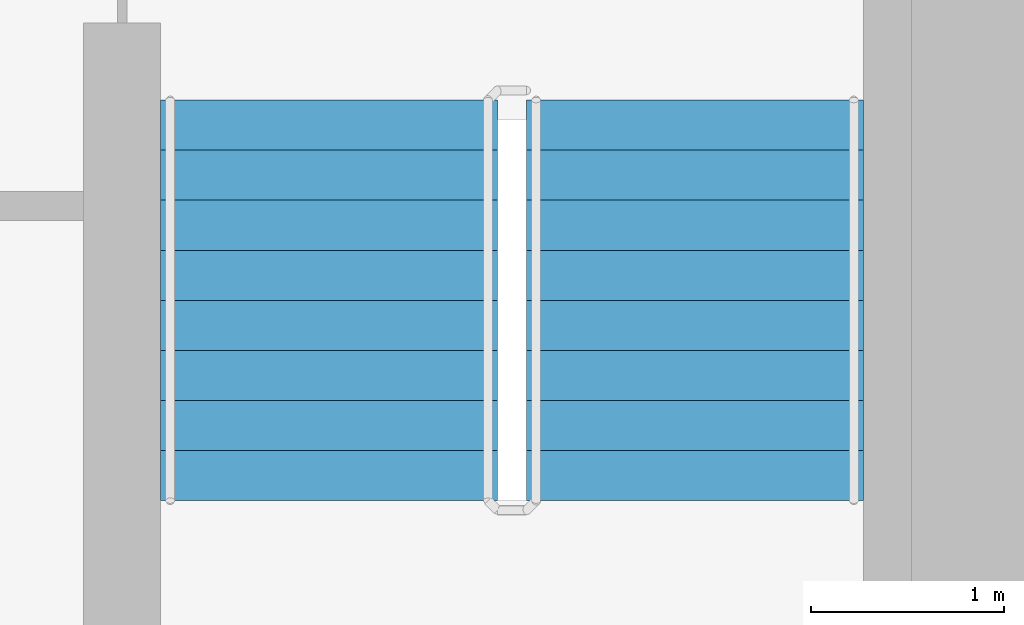
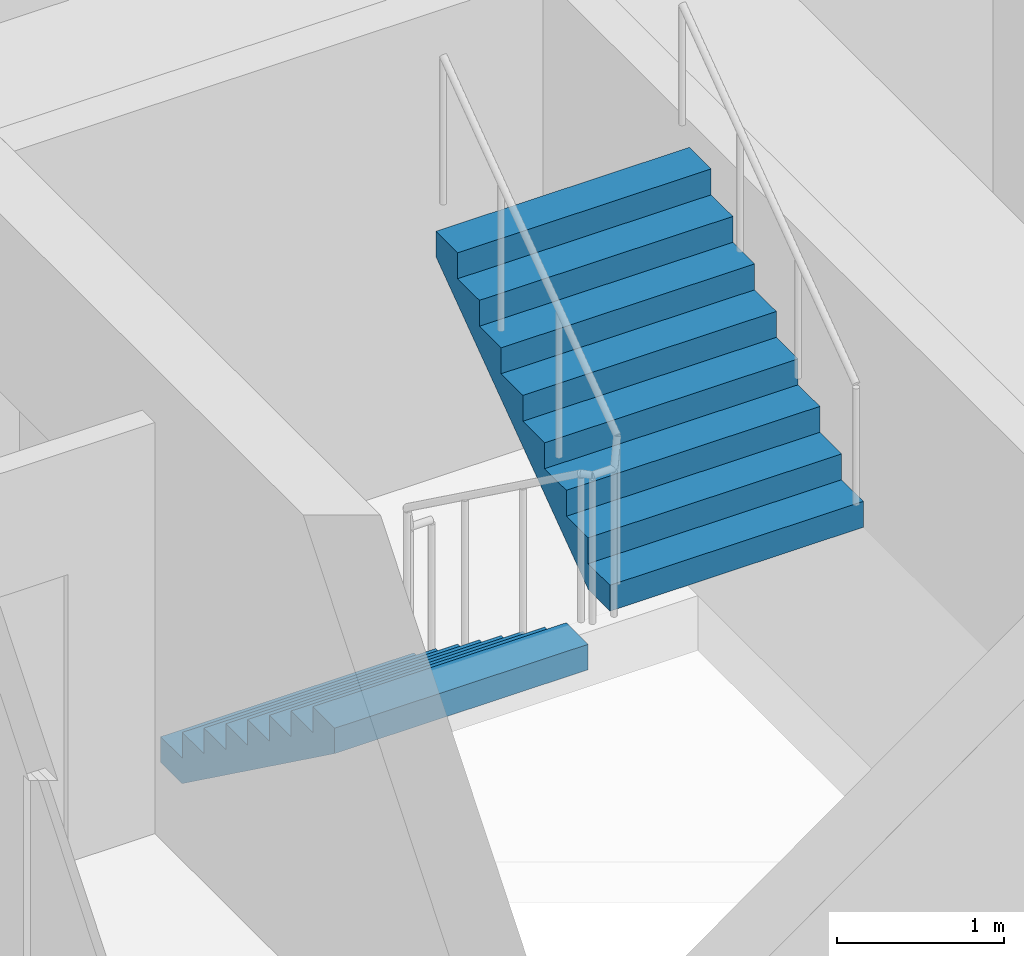
# One storey, part 18 of 21: 2 stair flights, 1 element without a shape of its own.
"""IFC4 building model written with IfcOpenShell, lengths in metres."""

from ifc_helpers import new_model, si_unit, direction, frame, origin, place, context, subcontext, project, spatial, faceted_brep, material, type_object, element, aggregate, save


model = new_model("IFC4")

# Units and contexts
model_context = context("Model", 3, precision=1e-05, world=origin(), true_north=direction((0.0, 1.0)))
body_context = subcontext(model_context, "Body", "Model", "MODEL_VIEW")
ifc_project = project(units=[si_unit("LENGTHUNIT", "METRE"), si_unit("AREAUNIT", "SQUARE_METRE"), si_unit("VOLUMEUNIT", "CUBIC_METRE"), si_unit("PLANEANGLEUNIT", "RADIAN"), si_unit("MASSUNIT", "GRAM", prefix="KILO")], contexts=[model_context])

# Site, building, storey
site_placement = place(None, origin())
site = spatial("IfcSite", under=ifc_project, at=site_placement, CompositionType="ELEMENT")
building_placement = place(site_placement, origin())
building = spatial("IfcBuilding", under=site, at=building_placement, Name="Ipe Terrace Towers", CompositionType="ELEMENT")
storey_placement = place(building_placement, frame((0.0, 0.0, 83.39990234375)))
storey = spatial("IfcBuildingStorey", under=building, at=storey_placement, Name="L22", CompositionType="ELEMENT", Elevation=83.39990234375)

# Stair, stair flights
ifc_material_1 = material(Name="Concrete C30/37", Category="concrete")
stair_type = type_object("IfcStairType", Name="Protected exit stair", PredefinedType="HALF_TURN_STAIR", material=ifc_material_1)
stair_placement = place(storey_placement, origin())
stair = element("IfcStair", 1, at=stair_placement, inside=storey, type_object=stair_type, Name="L22 Exit stair T2-C2", PredefinedType="HALF_TURN_STAIR")
ifc_material_2 = material(Name="Concrete C30/37", Category="concrete")
stair_flight_type = type_object("IfcStairFlightType", Name="Exit stair flight 1750", PredefinedType="STRAIGHT", material=ifc_material_2)
stair_flight_1_placement = place(storey_placement, frame((38.77490234375, -9.699951171875, 0.0), z_axis=(0.0, 0.0, 1.0), x_axis=(0.0, -1.0, 0.0)))
stair_flight_1 = element("IfcStairFlight", 2, at=stair_flight_1_placement, type_object=stair_flight_type, Name="T2-ST2 flight 1", NumberOfRisers=9, NumberOfTreads=8, PredefinedType="STRAIGHT", RiserHeight=0.188888889, TreadLength=0.26, context=body_context, shape_type="Brep", body=[
    faceted_brep([(0.255126953125, -0.875, 0.0), (2.080078125, -0.875, 1.325927734375), (2.080078125, -0.875, 1.51123046875), (1.820068359375, -0.875, 1.51123046875), (1.820068359375, -0.875, 1.322265625), (1.56005859375, -0.875, 1.322265625), (1.56005859375, -0.875, 1.13330078125), (1.300048828125, -0.875, 1.13330078125), (1.300048828125, -0.875, 0.9443359375), (1.0400390625, -0.875, 0.9443359375), (1.0400390625, -0.875, 0.755615234375), (0.780029296875, -0.875, 0.755615234375), (0.780029296875, -0.875, 0.566650390625), (0.52001953125, -0.875, 0.566650390625), (0.52001953125, -0.875, 0.377685546875), (0.260009765625, -0.875, 0.377685546875), (0.260009765625, -0.875, 0.18896484375), (0.0, -0.875, 0.18896484375), (0.0, -0.875, 0.0), (0.0, 0.875, 0.0), (0.0, 0.875, 0.18896484375), (0.260009765625, 0.875, 0.18896484375), (0.260009765625, 0.875, 0.377685546875), (0.52001953125, 0.875, 0.377685546875), (0.52001953125, 0.875, 0.566650390625), (0.780029296875, 0.875, 0.566650390625), (0.780029296875, 0.875, 0.755615234375), (1.0400390625, 0.875, 0.755615234375), (1.0400390625, 0.875, 0.9443359375), (1.300048828125, 0.875, 0.9443359375), (1.300048828125, 0.875, 1.13330078125), (1.56005859375, 0.875, 1.13330078125), (1.56005859375, 0.875, 1.322265625), (1.820068359375, 0.875, 1.322265625), (1.820068359375, 0.875, 1.51123046875), (2.080078125, 0.875, 1.51123046875), (2.080078125, 0.875, 1.325927734375), (0.255126953125, 0.875, 0.0), (0.0, -0.300048828125, 0.18896484375), (0.0, -0.1201171875, 0.18896484375), (0.0, -0.06005859375, 0.18896484375), (0.0, -0.030029296875, 0.18896484375), (0.0, -0.010009765625, 0.18896484375), (0.0, 0.0, 0.18896484375), (0.0, 0.010009765625, 0.18896484375), (0.0, 0.030029296875, 0.18896484375), (0.0, 0.06005859375, 0.18896484375), (0.0, 0.1201171875, 0.18896484375), (0.0, 0.300048828125, 0.18896484375), (0.0, 0.300048828125, 0.0), (0.0, 0.1201171875, 0.0), (0.0, 0.06005859375, 0.0), (0.0, 0.030029296875, 0.0), (0.0, 0.010009765625, 0.0), (0.0, 0.0, 0.0), (0.0, -0.010009765625, 0.0), (0.0, -0.030029296875, 0.0), (0.0, -0.06005859375, 0.0), (0.0, -0.1201171875, 0.0), (0.0, -0.300048828125, 0.0), (0.260009765625, -0.300048828125, 0.18896484375), (0.260009765625, -0.1201171875, 0.18896484375), (0.260009765625, -0.06005859375, 0.18896484375), (0.260009765625, -0.030029296875, 0.18896484375), (0.260009765625, -0.010009765625, 0.18896484375), (0.260009765625, 0.0, 0.18896484375), (0.260009765625, 0.010009765625, 0.18896484375), (0.260009765625, 0.030029296875, 0.18896484375), (0.260009765625, 0.06005859375, 0.18896484375), (0.260009765625, 0.1201171875, 0.18896484375), (0.260009765625, 0.300048828125, 0.18896484375), (0.260009765625, -0.300048828125, 0.377685546875), (0.260009765625, -0.1201171875, 0.377685546875), (0.260009765625, -0.06005859375, 0.377685546875), (0.260009765625, -0.030029296875, 0.377685546875), (0.260009765625, -0.010009765625, 0.377685546875), (0.260009765625, 0.0, 0.377685546875), (0.260009765625, 0.010009765625, 0.377685546875), (0.260009765625, 0.030029296875, 0.377685546875), (0.260009765625, 0.06005859375, 0.377685546875), (0.260009765625, 0.1201171875, 0.377685546875), (0.260009765625, 0.300048828125, 0.377685546875), (0.52001953125, -0.300048828125, 0.377685546875), (0.52001953125, -0.1201171875, 0.377685546875), (0.52001953125, -0.06005859375, 0.377685546875), (0.52001953125, -0.030029296875, 0.377685546875), (0.52001953125, -0.010009765625, 0.377685546875), (0.52001953125, 0.0, 0.377685546875), (0.52001953125, 0.010009765625, 0.377685546875), (0.52001953125, 0.030029296875, 0.377685546875), (0.52001953125, 0.06005859375, 0.377685546875), (0.52001953125, 0.1201171875, 0.377685546875), (0.52001953125, 0.300048828125, 0.377685546875), (0.52001953125, -0.300048828125, 0.566650390625), (0.52001953125, -0.1201171875, 0.566650390625), (0.52001953125, -0.06005859375, 0.566650390625), (0.52001953125, -0.030029296875, 0.566650390625), (0.52001953125, -0.010009765625, 0.566650390625), (0.52001953125, 0.0, 0.566650390625), (0.52001953125, 0.010009765625, 0.566650390625), (0.52001953125, 0.030029296875, 0.566650390625), (0.52001953125, 0.06005859375, 0.566650390625), (0.52001953125, 0.1201171875, 0.566650390625), (0.52001953125, 0.300048828125, 0.566650390625), (0.780029296875, -0.300048828125, 0.566650390625), (0.780029296875, -0.1201171875, 0.566650390625), (0.780029296875, -0.06005859375, 0.566650390625), (0.780029296875, -0.030029296875, 0.566650390625), (0.780029296875, -0.010009765625, 0.566650390625), (0.780029296875, 0.0, 0.566650390625), (0.780029296875, 0.010009765625, 0.566650390625), (0.780029296875, 0.030029296875, 0.566650390625), (0.780029296875, 0.06005859375, 0.566650390625), (0.780029296875, 0.1201171875, 0.566650390625), (0.780029296875, 0.300048828125, 0.566650390625), (0.780029296875, -0.300048828125, 0.755615234375), (0.780029296875, -0.1201171875, 0.755615234375), (0.780029296875, -0.06005859375, 0.755615234375), (0.780029296875, -0.030029296875, 0.755615234375), (0.780029296875, -0.010009765625, 0.755615234375), (0.780029296875, 0.0, 0.755615234375), (0.780029296875, 0.010009765625, 0.755615234375), (0.780029296875, 0.030029296875, 0.755615234375), (0.780029296875, 0.06005859375, 0.755615234375), (0.780029296875, 0.1201171875, 0.755615234375), (0.780029296875, 0.300048828125, 0.755615234375), (1.0400390625, -0.300048828125, 0.755615234375), (1.0400390625, -0.1201171875, 0.755615234375), (1.0400390625, -0.06005859375, 0.755615234375), (1.0400390625, -0.030029296875, 0.755615234375), (1.0400390625, -0.010009765625, 0.755615234375), (1.0400390625, 0.0, 0.755615234375), (1.0400390625, 0.010009765625, 0.755615234375), (1.0400390625, 0.030029296875, 0.755615234375), (1.0400390625, 0.06005859375, 0.755615234375), (1.0400390625, 0.1201171875, 0.755615234375), (1.0400390625, 0.300048828125, 0.755615234375), (1.0400390625, -0.300048828125, 0.9443359375), (1.0400390625, -0.1201171875, 0.9443359375), (1.0400390625, -0.06005859375, 0.9443359375), (1.0400390625, -0.030029296875, 0.9443359375), (1.0400390625, -0.010009765625, 0.9443359375), (1.0400390625, 0.0, 0.9443359375), (1.0400390625, 0.010009765625, 0.9443359375), (1.0400390625, 0.030029296875, 0.9443359375), (1.0400390625, 0.06005859375, 0.9443359375), (1.0400390625, 0.1201171875, 0.9443359375), (1.0400390625, 0.300048828125, 0.9443359375), (1.300048828125, -0.300048828125, 0.9443359375), (1.300048828125, -0.1201171875, 0.9443359375), (1.300048828125, -0.06005859375, 0.9443359375), (1.300048828125, -0.030029296875, 0.9443359375), (1.300048828125, -0.010009765625, 0.9443359375), (1.300048828125, 0.0, 0.9443359375), (1.300048828125, 0.010009765625, 0.9443359375), (1.300048828125, 0.030029296875, 0.9443359375), (1.300048828125, 0.06005859375, 0.9443359375), (1.300048828125, 0.1201171875, 0.9443359375), (1.300048828125, 0.300048828125, 0.9443359375), (1.300048828125, -0.300048828125, 1.13330078125), (1.300048828125, -0.1201171875, 1.13330078125), (1.300048828125, -0.06005859375, 1.13330078125), (1.300048828125, -0.030029296875, 1.13330078125), (1.300048828125, -0.010009765625, 1.13330078125), (1.300048828125, 0.0, 1.13330078125), (1.300048828125, 0.010009765625, 1.13330078125), (1.300048828125, 0.030029296875, 1.13330078125), (1.300048828125, 0.06005859375, 1.13330078125), (1.300048828125, 0.1201171875, 1.13330078125), (1.300048828125, 0.300048828125, 1.13330078125), (1.56005859375, -0.300048828125, 1.13330078125), (1.56005859375, -0.1201171875, 1.13330078125), (1.56005859375, -0.06005859375, 1.13330078125), (1.56005859375, -0.030029296875, 1.13330078125), (1.56005859375, -0.010009765625, 1.13330078125), (1.56005859375, 0.0, 1.13330078125), (1.56005859375, 0.010009765625, 1.13330078125), (1.56005859375, 0.030029296875, 1.13330078125), (1.56005859375, 0.06005859375, 1.13330078125), (1.56005859375, 0.1201171875, 1.13330078125), (1.56005859375, 0.300048828125, 1.13330078125), (1.56005859375, -0.300048828125, 1.322265625), (1.56005859375, -0.1201171875, 1.322265625), (1.56005859375, -0.06005859375, 1.322265625), (1.56005859375, -0.030029296875, 1.322265625), (1.56005859375, -0.010009765625, 1.322265625), (1.56005859375, 0.0, 1.322265625), (1.56005859375, 0.010009765625, 1.322265625), (1.56005859375, 0.030029296875, 1.322265625), (1.56005859375, 0.06005859375, 1.322265625), (1.56005859375, 0.1201171875, 1.322265625), (1.56005859375, 0.300048828125, 1.322265625), (1.820068359375, -0.300048828125, 1.322265625), (1.820068359375, -0.1201171875, 1.322265625), (1.820068359375, -0.06005859375, 1.322265625), (1.820068359375, -0.030029296875, 1.322265625), (1.820068359375, -0.010009765625, 1.322265625), (1.820068359375, 0.0, 1.322265625), (1.820068359375, 0.010009765625, 1.322265625), (1.820068359375, 0.030029296875, 1.322265625), (1.820068359375, 0.06005859375, 1.322265625), (1.820068359375, 0.1201171875, 1.322265625), (1.820068359375, 0.300048828125, 1.322265625), (1.820068359375, -0.300048828125, 1.51123046875), (1.820068359375, -0.1201171875, 1.51123046875), (1.820068359375, -0.06005859375, 1.51123046875), (1.820068359375, -0.030029296875, 1.51123046875), (1.820068359375, -0.010009765625, 1.51123046875), (1.820068359375, 0.0, 1.51123046875), (1.820068359375, 0.010009765625, 1.51123046875), (1.820068359375, 0.030029296875, 1.51123046875), (1.820068359375, 0.06005859375, 1.51123046875), (1.820068359375, 0.1201171875, 1.51123046875), (1.820068359375, 0.300048828125, 1.51123046875), (2.080078125, -0.300048828125, 1.51123046875), (2.080078125, -0.1201171875, 1.51123046875), (2.080078125, -0.06005859375, 1.51123046875), (2.080078125, -0.030029296875, 1.51123046875), (2.080078125, -0.010009765625, 1.51123046875), (2.080078125, 0.0, 1.51123046875), (2.080078125, 0.010009765625, 1.51123046875), (2.080078125, 0.030029296875, 1.51123046875), (2.080078125, 0.06005859375, 1.51123046875), (2.080078125, 0.1201171875, 1.51123046875), (2.080078125, 0.300048828125, 1.51123046875), (2.080078125, -0.300048828125, 1.325927734375), (2.080078125, -0.1201171875, 1.325927734375), (2.080078125, -0.06005859375, 1.325927734375), (2.080078125, -0.030029296875, 1.325927734375), (2.080078125, -0.010009765625, 1.325927734375), (2.080078125, 0.0, 1.325927734375), (2.080078125, 0.010009765625, 1.325927734375), (2.080078125, 0.030029296875, 1.325927734375), (2.080078125, 0.06005859375, 1.325927734375), (2.080078125, 0.1201171875, 1.325927734375), (2.080078125, 0.300048828125, 1.325927734375), (0.255126953125, -0.300048828125, 0.0), (0.255126953125, -0.1201171875, 0.0), (0.255126953125, -0.06005859375, 0.0), (0.255126953125, -0.030029296875, 0.0), (0.255126953125, -0.010009765625, 0.0), (0.255126953125, 0.0, 0.0), (0.255126953125, 0.010009765625, 0.0), (0.255126953125, 0.030029296875, 0.0), (0.255126953125, 0.06005859375, 0.0), (0.255126953125, 0.1201171875, 0.0), (0.255126953125, 0.300048828125, 0.0)], [[[0, 1, 2, 3, 4, 5, 6, 7, 8, 9, 10, 11, 12, 13, 14, 15, 16, 17, 18]], [[19, 20, 21, 22, 23, 24, 25, 26, 27, 28, 29, 30, 31, 32, 33, 34, 35, 36, 37]], [[17, 38, 39, 40, 41, 42, 43, 44, 45, 46, 47, 48, 20, 19, 49, 50, 51, 52, 53, 54, 55, 56, 57, 58, 59, 18]], [[16, 60, 61, 62, 63, 64, 65, 66, 67, 68, 69, 70, 21, 20, 48, 47, 46, 45, 44, 43, 42, 41, 40, 39, 38, 17]], [[15, 71, 72, 73, 74, 75, 76, 77, 78, 79, 80, 81, 22, 21, 70, 69, 68, 67, 66, 65, 64, 63, 62, 61, 60, 16]], [[14, 82, 83, 84, 85, 86, 87, 88, 89, 90, 91, 92, 23, 22, 81, 80, 79, 78, 77, 76, 75, 74, 73, 72, 71, 15]], [[13, 93, 94, 95, 96, 97, 98, 99, 100, 101, 102, 103, 24, 23, 92, 91, 90, 89, 88, 87, 86, 85, 84, 83, 82, 14]], [[12, 104, 105, 106, 107, 108, 109, 110, 111, 112, 113, 114, 25, 24, 103, 102, 101, 100, 99, 98, 97, 96, 95, 94, 93, 13]], [[11, 115, 116, 117, 118, 119, 120, 121, 122, 123, 124, 125, 26, 25, 114, 113, 112, 111, 110, 109, 108, 107, 106, 105, 104, 12]], [[10, 126, 127, 128, 129, 130, 131, 132, 133, 134, 135, 136, 27, 26, 125, 124, 123, 122, 121, 120, 119, 118, 117, 116, 115, 11]], [[9, 137, 138, 139, 140, 141, 142, 143, 144, 145, 146, 147, 28, 27, 136, 135, 134, 133, 132, 131, 130, 129, 128, 127, 126, 10]], [[8, 148, 149, 150, 151, 152, 153, 154, 155, 156, 157, 158, 29, 28, 147, 146, 145, 144, 143, 142, 141, 140, 139, 138, 137, 9]], [[7, 159, 160, 161, 162, 163, 164, 165, 166, 167, 168, 169, 30, 29, 158, 157, 156, 155, 154, 153, 152, 151, 150, 149, 148, 8]], [[6, 170, 171, 172, 173, 174, 175, 176, 177, 178, 179, 180, 31, 30, 169, 168, 167, 166, 165, 164, 163, 162, 161, 160, 159, 7]], [[5, 181, 182, 183, 184, 185, 186, 187, 188, 189, 190, 191, 32, 31, 180, 179, 178, 177, 176, 175, 174, 173, 172, 171, 170, 6]], [[4, 192, 193, 194, 195, 196, 197, 198, 199, 200, 201, 202, 33, 32, 191, 190, 189, 188, 187, 186, 185, 184, 183, 182, 181, 5]], [[3, 203, 204, 205, 206, 207, 208, 209, 210, 211, 212, 213, 34, 33, 202, 201, 200, 199, 198, 197, 196, 195, 194, 193, 192, 4]], [[2, 214, 215, 216, 217, 218, 219, 220, 221, 222, 223, 224, 35, 34, 213, 212, 211, 210, 209, 208, 207, 206, 205, 204, 203, 3]], [[1, 225, 226, 227, 228, 229, 230, 231, 232, 233, 234, 235, 36, 35, 224, 223, 222, 221, 220, 219, 218, 217, 216, 215, 214, 2]], [[0, 236, 237, 238, 239, 240, 241, 242, 243, 244, 245, 246, 37, 36, 235, 234, 233, 232, 231, 230, 229, 228, 227, 226, 225, 1]], [[18, 59, 58, 57, 56, 55, 54, 53, 52, 51, 50, 49, 19, 37, 246, 245, 244, 243, 242, 241, 240, 239, 238, 237, 236, 0]]]),
])
stair_flight_2_placement = place(storey_placement, frame((40.675048828125, -11.780029296875, 1.7001953125), z_axis=(0.0, 0.0, 1.0), x_axis=(0.0, 1.0, 0.0)))
stair_flight_2 = element("IfcStairFlight", 3, at=stair_flight_2_placement, type_object=stair_flight_type, Name="T2-ST2 flight 2", NumberOfRisers=9, NumberOfTreads=8, PredefinedType="STRAIGHT", RiserHeight=0.188888889, TreadLength=0.26, context=body_context, shape_type="Brep", body=[
    faceted_brep([(0.255126953125, -0.875, 0.0), (2.080078125, -0.875, 1.325927734375), (2.080078125, -0.875, 1.51123046875), (1.820068359375, -0.875, 1.51123046875), (1.820068359375, -0.875, 1.322265625), (1.56005859375, -0.875, 1.322265625), (1.56005859375, -0.875, 1.13330078125), (1.300048828125, -0.875, 1.13330078125), (1.300048828125, -0.875, 0.9443359375), (1.0400390625, -0.875, 0.9443359375), (1.0400390625, -0.875, 0.755615234375), (0.780029296875, -0.875, 0.755615234375), (0.780029296875, -0.875, 0.566650390625), (0.52001953125, -0.875, 0.566650390625), (0.52001953125, -0.875, 0.377685546875), (0.260009765625, -0.875, 0.377685546875), (0.260009765625, -0.875, 0.18896484375), (0.0, -0.875, 0.18896484375), (0.0, -0.875, 0.0), (0.0, 0.875, 0.0), (0.0, 0.875, 0.18896484375), (0.260009765625, 0.875, 0.18896484375), (0.260009765625, 0.875, 0.377685546875), (0.52001953125, 0.875, 0.377685546875), (0.52001953125, 0.875, 0.566650390625), (0.780029296875, 0.875, 0.566650390625), (0.780029296875, 0.875, 0.755615234375), (1.0400390625, 0.875, 0.755615234375), (1.0400390625, 0.875, 0.9443359375), (1.300048828125, 0.875, 0.9443359375), (1.300048828125, 0.875, 1.13330078125), (1.56005859375, 0.875, 1.13330078125), (1.56005859375, 0.875, 1.322265625), (1.820068359375, 0.875, 1.322265625), (1.820068359375, 0.875, 1.51123046875), (2.080078125, 0.875, 1.51123046875), (2.080078125, 0.875, 1.325927734375), (0.255126953125, 0.875, 0.0), (0.0, -0.300048828125, 0.18896484375), (0.0, -0.1201171875, 0.18896484375), (0.0, -0.06005859375, 0.18896484375), (0.0, -0.030029296875, 0.18896484375), (0.0, -0.010009765625, 0.18896484375), (0.0, 0.0, 0.18896484375), (0.0, 0.010009765625, 0.18896484375), (0.0, 0.030029296875, 0.18896484375), (0.0, 0.06005859375, 0.18896484375), (0.0, 0.1201171875, 0.18896484375), (0.0, 0.300048828125, 0.18896484375), (0.0, 0.300048828125, 0.0), (0.0, 0.1201171875, 0.0), (0.0, 0.06005859375, 0.0), (0.0, 0.030029296875, 0.0), (0.0, 0.010009765625, 0.0), (0.0, 0.0, 0.0), (0.0, -0.010009765625, 0.0), (0.0, -0.030029296875, 0.0), (0.0, -0.06005859375, 0.0), (0.0, -0.1201171875, 0.0), (0.0, -0.300048828125, 0.0), (0.260009765625, -0.300048828125, 0.18896484375), (0.260009765625, -0.1201171875, 0.18896484375), (0.260009765625, -0.06005859375, 0.18896484375), (0.260009765625, -0.030029296875, 0.18896484375), (0.260009765625, -0.010009765625, 0.18896484375), (0.260009765625, 0.0, 0.18896484375), (0.260009765625, 0.010009765625, 0.18896484375), (0.260009765625, 0.030029296875, 0.18896484375), (0.260009765625, 0.06005859375, 0.18896484375), (0.260009765625, 0.1201171875, 0.18896484375), (0.260009765625, 0.300048828125, 0.18896484375), (0.260009765625, -0.300048828125, 0.377685546875), (0.260009765625, -0.1201171875, 0.377685546875), (0.260009765625, -0.06005859375, 0.377685546875), (0.260009765625, -0.030029296875, 0.377685546875), (0.260009765625, -0.010009765625, 0.377685546875), (0.260009765625, 0.0, 0.377685546875), (0.260009765625, 0.010009765625, 0.377685546875), (0.260009765625, 0.030029296875, 0.377685546875), (0.260009765625, 0.06005859375, 0.377685546875), (0.260009765625, 0.1201171875, 0.377685546875), (0.260009765625, 0.300048828125, 0.377685546875), (0.52001953125, -0.300048828125, 0.377685546875), (0.52001953125, -0.1201171875, 0.377685546875), (0.52001953125, -0.06005859375, 0.377685546875), (0.52001953125, -0.030029296875, 0.377685546875), (0.52001953125, -0.010009765625, 0.377685546875), (0.52001953125, 0.0, 0.377685546875), (0.52001953125, 0.010009765625, 0.377685546875), (0.52001953125, 0.030029296875, 0.377685546875), (0.52001953125, 0.06005859375, 0.377685546875), (0.52001953125, 0.1201171875, 0.377685546875), (0.52001953125, 0.300048828125, 0.377685546875), (0.52001953125, -0.300048828125, 0.566650390625), (0.52001953125, -0.1201171875, 0.566650390625), (0.52001953125, -0.06005859375, 0.566650390625), (0.52001953125, -0.030029296875, 0.566650390625), (0.52001953125, -0.010009765625, 0.566650390625), (0.52001953125, 0.0, 0.566650390625), (0.52001953125, 0.010009765625, 0.566650390625), (0.52001953125, 0.030029296875, 0.566650390625), (0.52001953125, 0.06005859375, 0.566650390625), (0.52001953125, 0.1201171875, 0.566650390625), (0.52001953125, 0.300048828125, 0.566650390625), (0.780029296875, -0.300048828125, 0.566650390625), (0.780029296875, -0.1201171875, 0.566650390625), (0.780029296875, -0.06005859375, 0.566650390625), (0.780029296875, -0.030029296875, 0.566650390625), (0.780029296875, -0.010009765625, 0.566650390625), (0.780029296875, 0.0, 0.566650390625), (0.780029296875, 0.010009765625, 0.566650390625), (0.780029296875, 0.030029296875, 0.566650390625), (0.780029296875, 0.06005859375, 0.566650390625), (0.780029296875, 0.1201171875, 0.566650390625), (0.780029296875, 0.300048828125, 0.566650390625), (0.780029296875, -0.300048828125, 0.755615234375), (0.780029296875, -0.1201171875, 0.755615234375), (0.780029296875, -0.06005859375, 0.755615234375), (0.780029296875, -0.030029296875, 0.755615234375), (0.780029296875, -0.010009765625, 0.755615234375), (0.780029296875, 0.0, 0.755615234375), (0.780029296875, 0.010009765625, 0.755615234375), (0.780029296875, 0.030029296875, 0.755615234375), (0.780029296875, 0.06005859375, 0.755615234375), (0.780029296875, 0.1201171875, 0.755615234375), (0.780029296875, 0.300048828125, 0.755615234375), (1.0400390625, -0.300048828125, 0.755615234375), (1.0400390625, -0.1201171875, 0.755615234375), (1.0400390625, -0.06005859375, 0.755615234375), (1.0400390625, -0.030029296875, 0.755615234375), (1.0400390625, -0.010009765625, 0.755615234375), (1.0400390625, 0.0, 0.755615234375), (1.0400390625, 0.010009765625, 0.755615234375), (1.0400390625, 0.030029296875, 0.755615234375), (1.0400390625, 0.06005859375, 0.755615234375), (1.0400390625, 0.1201171875, 0.755615234375), (1.0400390625, 0.300048828125, 0.755615234375), (1.0400390625, -0.300048828125, 0.9443359375), (1.0400390625, -0.1201171875, 0.9443359375), (1.0400390625, -0.06005859375, 0.9443359375), (1.0400390625, -0.030029296875, 0.9443359375), (1.0400390625, -0.010009765625, 0.9443359375), (1.0400390625, 0.0, 0.9443359375), (1.0400390625, 0.010009765625, 0.9443359375), (1.0400390625, 0.030029296875, 0.9443359375), (1.0400390625, 0.06005859375, 0.9443359375), (1.0400390625, 0.1201171875, 0.9443359375), (1.0400390625, 0.300048828125, 0.9443359375), (1.300048828125, -0.300048828125, 0.9443359375), (1.300048828125, -0.1201171875, 0.9443359375), (1.300048828125, -0.06005859375, 0.9443359375), (1.300048828125, -0.030029296875, 0.9443359375), (1.300048828125, -0.010009765625, 0.9443359375), (1.300048828125, 0.0, 0.9443359375), (1.300048828125, 0.010009765625, 0.9443359375), (1.300048828125, 0.030029296875, 0.9443359375), (1.300048828125, 0.06005859375, 0.9443359375), (1.300048828125, 0.1201171875, 0.9443359375), (1.300048828125, 0.300048828125, 0.9443359375), (1.300048828125, -0.300048828125, 1.13330078125), (1.300048828125, -0.1201171875, 1.13330078125), (1.300048828125, -0.06005859375, 1.13330078125), (1.300048828125, -0.030029296875, 1.13330078125), (1.300048828125, -0.010009765625, 1.13330078125), (1.300048828125, 0.0, 1.13330078125), (1.300048828125, 0.010009765625, 1.13330078125), (1.300048828125, 0.030029296875, 1.13330078125), (1.300048828125, 0.06005859375, 1.13330078125), (1.300048828125, 0.1201171875, 1.13330078125), (1.300048828125, 0.300048828125, 1.13330078125), (1.56005859375, -0.300048828125, 1.13330078125), (1.56005859375, -0.1201171875, 1.13330078125), (1.56005859375, -0.06005859375, 1.13330078125), (1.56005859375, -0.030029296875, 1.13330078125), (1.56005859375, -0.010009765625, 1.13330078125), (1.56005859375, 0.0, 1.13330078125), (1.56005859375, 0.010009765625, 1.13330078125), (1.56005859375, 0.030029296875, 1.13330078125), (1.56005859375, 0.06005859375, 1.13330078125), (1.56005859375, 0.1201171875, 1.13330078125), (1.56005859375, 0.300048828125, 1.13330078125), (1.56005859375, -0.300048828125, 1.322265625), (1.56005859375, -0.1201171875, 1.322265625), (1.56005859375, -0.06005859375, 1.322265625), (1.56005859375, -0.030029296875, 1.322265625), (1.56005859375, -0.010009765625, 1.322265625), (1.56005859375, 0.0, 1.322265625), (1.56005859375, 0.010009765625, 1.322265625), (1.56005859375, 0.030029296875, 1.322265625), (1.56005859375, 0.06005859375, 1.322265625), (1.56005859375, 0.1201171875, 1.322265625), (1.56005859375, 0.300048828125, 1.322265625), (1.820068359375, -0.300048828125, 1.322265625), (1.820068359375, -0.1201171875, 1.322265625), (1.820068359375, -0.06005859375, 1.322265625), (1.820068359375, -0.030029296875, 1.322265625), (1.820068359375, -0.010009765625, 1.322265625), (1.820068359375, 0.0, 1.322265625), (1.820068359375, 0.010009765625, 1.322265625), (1.820068359375, 0.030029296875, 1.322265625), (1.820068359375, 0.06005859375, 1.322265625), (1.820068359375, 0.1201171875, 1.322265625), (1.820068359375, 0.300048828125, 1.322265625), (1.820068359375, -0.300048828125, 1.51123046875), (1.820068359375, -0.1201171875, 1.51123046875), (1.820068359375, -0.06005859375, 1.51123046875), (1.820068359375, -0.030029296875, 1.51123046875), (1.820068359375, -0.010009765625, 1.51123046875), (1.820068359375, 0.0, 1.51123046875), (1.820068359375, 0.010009765625, 1.51123046875), (1.820068359375, 0.030029296875, 1.51123046875), (1.820068359375, 0.06005859375, 1.51123046875), (1.820068359375, 0.1201171875, 1.51123046875), (1.820068359375, 0.300048828125, 1.51123046875), (2.080078125, -0.300048828125, 1.51123046875), (2.080078125, -0.1201171875, 1.51123046875), (2.080078125, -0.06005859375, 1.51123046875), (2.080078125, -0.030029296875, 1.51123046875), (2.080078125, -0.010009765625, 1.51123046875), (2.080078125, 0.0, 1.51123046875), (2.080078125, 0.010009765625, 1.51123046875), (2.080078125, 0.030029296875, 1.51123046875), (2.080078125, 0.06005859375, 1.51123046875), (2.080078125, 0.1201171875, 1.51123046875), (2.080078125, 0.300048828125, 1.51123046875), (2.080078125, -0.300048828125, 1.325927734375), (2.080078125, -0.1201171875, 1.325927734375), (2.080078125, -0.06005859375, 1.325927734375), (2.080078125, -0.030029296875, 1.325927734375), (2.080078125, -0.010009765625, 1.325927734375), (2.080078125, 0.0, 1.325927734375), (2.080078125, 0.010009765625, 1.325927734375), (2.080078125, 0.030029296875, 1.325927734375), (2.080078125, 0.06005859375, 1.325927734375), (2.080078125, 0.1201171875, 1.325927734375), (2.080078125, 0.300048828125, 1.325927734375), (0.255126953125, -0.300048828125, 0.0), (0.255126953125, -0.1201171875, 0.0), (0.255126953125, -0.06005859375, 0.0), (0.255126953125, -0.030029296875, 0.0), (0.255126953125, -0.010009765625, 0.0), (0.255126953125, 0.0, 0.0), (0.255126953125, 0.010009765625, 0.0), (0.255126953125, 0.030029296875, 0.0), (0.255126953125, 0.06005859375, 0.0), (0.255126953125, 0.1201171875, 0.0), (0.255126953125, 0.300048828125, 0.0)], [[[0, 1, 2, 3, 4, 5, 6, 7, 8, 9, 10, 11, 12, 13, 14, 15, 16, 17, 18]], [[19, 20, 21, 22, 23, 24, 25, 26, 27, 28, 29, 30, 31, 32, 33, 34, 35, 36, 37]], [[17, 38, 39, 40, 41, 42, 43, 44, 45, 46, 47, 48, 20, 19, 49, 50, 51, 52, 53, 54, 55, 56, 57, 58, 59, 18]], [[16, 60, 61, 62, 63, 64, 65, 66, 67, 68, 69, 70, 21, 20, 48, 47, 46, 45, 44, 43, 42, 41, 40, 39, 38, 17]], [[15, 71, 72, 73, 74, 75, 76, 77, 78, 79, 80, 81, 22, 21, 70, 69, 68, 67, 66, 65, 64, 63, 62, 61, 60, 16]], [[14, 82, 83, 84, 85, 86, 87, 88, 89, 90, 91, 92, 23, 22, 81, 80, 79, 78, 77, 76, 75, 74, 73, 72, 71, 15]], [[13, 93, 94, 95, 96, 97, 98, 99, 100, 101, 102, 103, 24, 23, 92, 91, 90, 89, 88, 87, 86, 85, 84, 83, 82, 14]], [[12, 104, 105, 106, 107, 108, 109, 110, 111, 112, 113, 114, 25, 24, 103, 102, 101, 100, 99, 98, 97, 96, 95, 94, 93, 13]], [[11, 115, 116, 117, 118, 119, 120, 121, 122, 123, 124, 125, 26, 25, 114, 113, 112, 111, 110, 109, 108, 107, 106, 105, 104, 12]], [[10, 126, 127, 128, 129, 130, 131, 132, 133, 134, 135, 136, 27, 26, 125, 124, 123, 122, 121, 120, 119, 118, 117, 116, 115, 11]], [[9, 137, 138, 139, 140, 141, 142, 143, 144, 145, 146, 147, 28, 27, 136, 135, 134, 133, 132, 131, 130, 129, 128, 127, 126, 10]], [[8, 148, 149, 150, 151, 152, 153, 154, 155, 156, 157, 158, 29, 28, 147, 146, 145, 144, 143, 142, 141, 140, 139, 138, 137, 9]], [[7, 159, 160, 161, 162, 163, 164, 165, 166, 167, 168, 169, 30, 29, 158, 157, 156, 155, 154, 153, 152, 151, 150, 149, 148, 8]], [[6, 170, 171, 172, 173, 174, 175, 176, 177, 178, 179, 180, 31, 30, 169, 168, 167, 166, 165, 164, 163, 162, 161, 160, 159, 7]], [[5, 181, 182, 183, 184, 185, 186, 187, 188, 189, 190, 191, 32, 31, 180, 179, 178, 177, 176, 175, 174, 173, 172, 171, 170, 6]], [[4, 192, 193, 194, 195, 196, 197, 198, 199, 200, 201, 202, 33, 32, 191, 190, 189, 188, 187, 186, 185, 184, 183, 182, 181, 5]], [[3, 203, 204, 205, 206, 207, 208, 209, 210, 211, 212, 213, 34, 33, 202, 201, 200, 199, 198, 197, 196, 195, 194, 193, 192, 4]], [[2, 214, 215, 216, 217, 218, 219, 220, 221, 222, 223, 224, 35, 34, 213, 212, 211, 210, 209, 208, 207, 206, 205, 204, 203, 3]], [[1, 225, 226, 227, 228, 229, 230, 231, 232, 233, 234, 235, 36, 35, 224, 223, 222, 221, 220, 219, 218, 217, 216, 215, 214, 2]], [[0, 236, 237, 238, 239, 240, 241, 242, 243, 244, 245, 246, 37, 36, 235, 234, 233, 232, 231, 230, 229, 228, 227, 226, 225, 1]], [[18, 59, 58, 57, 56, 55, 54, 53, 52, 51, 50, 49, 19, 37, 246, 245, 244, 243, 242, 241, 240, 239, 238, 237, 236, 0]]]),
])
aggregate(stair, [stair_flight_1, stair_flight_2])

save(model, "model.ifc")
